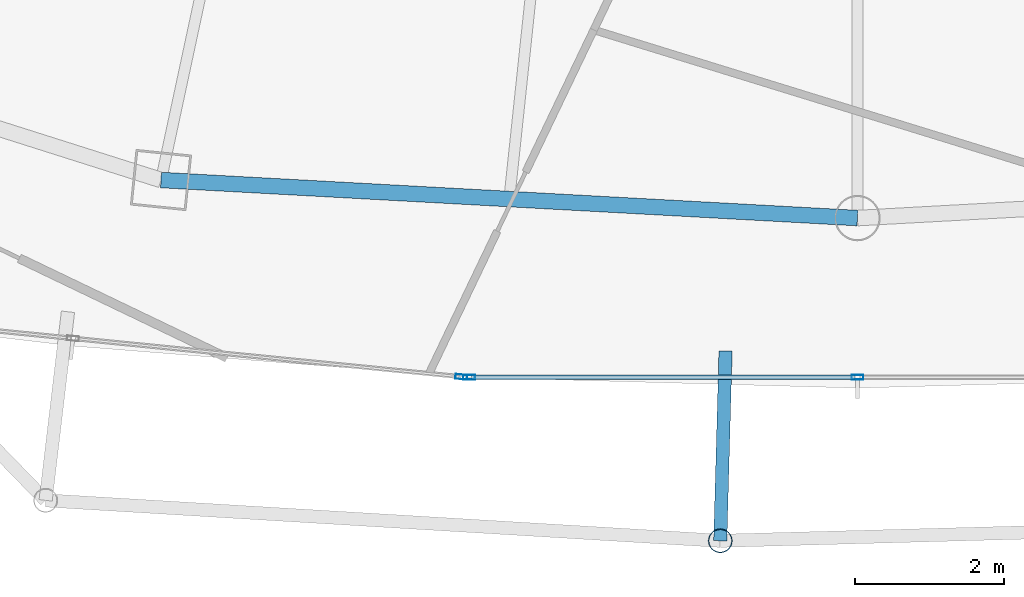
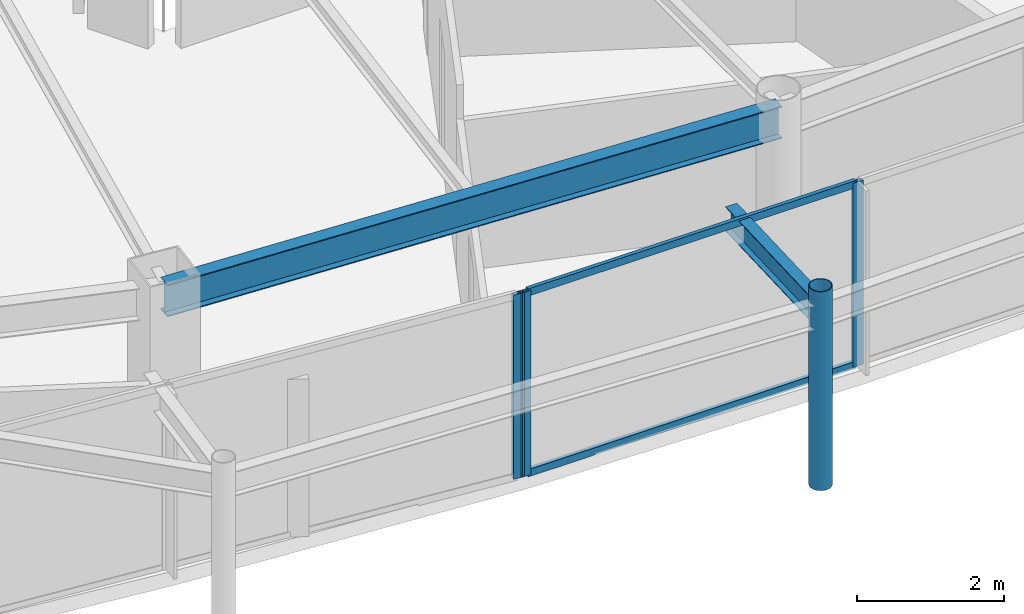
# One storey, part 8 of 33: 6 members, 2 beams, 2 elements without a shape of their own.
"""IFC4 building model written with IfcOpenShell, lengths in metres."""

import ifcopenshell
import ifcopenshell.guid

model = None  # the IFC model being written
_history = None  # IfcOwnerHistory: only IFC2X3 demands one
_inside = {}  # id of a spatial element -> (the spatial element, [elements in it])
_under = {}  # id of a project, library or spatial element -> (it, [spatial elements below it])
_declared = {}  # id of a project -> (the project, [libraries it declares])
_typed = {}  # id of a type object -> (the type object, [elements of that type])
_made_of = {}  # id of a material, layer set ... -> (it, [elements and type objects made of it])


def new_model(schema):
    """Start an empty IFC model of exactly this schema.

    Asked for "IFC4X3", IfcOpenShell would pick the latest addendum, in which some entities
    have other attributes; the version numbers below select the first issue.
    IFC2X3 requires an IfcOwnerHistory on every rooted entity: one is made here for all.
    """
    global model, _history
    if schema == "IFC4X3":
        model = ifcopenshell.file(schema_version=(4, 3, 0, 0))
    else:
        model = ifcopenshell.file(schema=schema)
    _inside.clear()
    _under.clear()
    _declared.clear()
    _typed.clear()
    _made_of.clear()
    _history = None
    if model.schema == "IFC2X3":
        org = make("IfcOrganization", Name="unknown")
        user = make(
            "IfcPersonAndOrganization",
            ThePerson=make("IfcPerson", FamilyName="unknown"),
            TheOrganization=org,
        )
        app = make(
            "IfcApplication",
            ApplicationDeveloper=org,
            Version="unknown",
            ApplicationFullName="unknown",
            ApplicationIdentifier="unknown",
        )
        _history = make(
            "IfcOwnerHistory",
            OwningUser=user,
            OwningApplication=app,
            ChangeAction="ADDED",
            CreationDate=0,
        )
    return model


def make(cls, **values):
    """One entity of the class cls with the attributes given. An attribute that is None is left unset."""
    return model.create_entity(
        cls, **{name: value for name, value in values.items() if value is not None}
    )


def rooted(cls, **values):
    """An entity with a GlobalId (a new one), such as an element, a storey or a relation."""
    return make(cls, GlobalId=ifcopenshell.guid.new(), OwnerHistory=_history, **values)


def si_unit(unit_type, name, prefix=None):
    """IfcSIUnit, for example si_unit("LENGTHUNIT", "METRE", prefix="MILLI")."""
    return make("IfcSIUnit", UnitType=unit_type, Prefix=prefix, Name=name)


def assignment(units):
    """IfcUnitAssignment: the units of a project."""
    return None if units is None else make("IfcUnitAssignment", Units=units)


def point(xyz):
    """IfcCartesianPoint."""
    return None if xyz is None else make("IfcCartesianPoint", Coordinates=xyz)


def direction(xyz):
    """IfcDirection."""
    return None if xyz is None else make("IfcDirection", DirectionRatios=xyz)


def frame(location, z_axis=None, x_axis=None):
    """IfcAxis2Placement3D, a coordinate frame: its origin and axes. An axis left out is left unset."""
    return make(
        "IfcAxis2Placement3D",
        Location=point(location),
        Axis=direction(z_axis),
        RefDirection=direction(x_axis),
    )


def frame_2d(location, x_axis=None):
    """IfcAxis2Placement2D, a coordinate frame in the plane: its origin and x axis."""
    return make(
        "IfcAxis2Placement2D", Location=point(location), RefDirection=direction(x_axis)
    )


def origin():
    """The frame at (0, 0, 0) with its axes left unset."""
    return frame((0.0, 0.0, 0.0))


def origin_2d():
    """The frame at (0, 0) in the plane with its x axis left unset."""
    return frame_2d((0.0, 0.0))


def place(relative_to, where):
    """IfcLocalPlacement: puts the frame where relative to a parent placement (None: the world)."""
    return make(
        "IfcLocalPlacement", PlacementRelTo=relative_to, RelativePlacement=where
    )


def context(
    kind, dimensions, precision=None, world=None, true_north=None, identifier=None
):
    """IfcGeometricRepresentationContext, for example the 3D "Model" context."""
    return make(
        "IfcGeometricRepresentationContext",
        ContextIdentifier=identifier,
        ContextType=kind,
        CoordinateSpaceDimension=dimensions,
        Precision=precision,
        WorldCoordinateSystem=world,
        TrueNorth=true_north,
    )


def subcontext(parent, identifier, kind, view, scale=None):
    """IfcGeometricRepresentationSubContext, for example "Body" below "Model"."""
    return make(
        "IfcGeometricRepresentationSubContext",
        ContextIdentifier=identifier,
        ContextType=kind,
        ParentContext=parent,
        TargetScale=scale,
        TargetView=view,
    )


def project(units=None, contexts=None):
    """IfcProject with its units and contexts."""
    return rooted(
        "IfcProject",
        Name="project",
        RepresentationContexts=contexts,
        UnitsInContext=assignment(units),
    )


def spatial(cls, under=None, at=None, **own):
    """A site, building, storey or space (cls), placed at a placement, below another one or the project."""
    s = rooted(cls, ObjectPlacement=at, **own)
    if under is not None:
        _under.setdefault(under.id(), (under, []))[1].append(s)
    return s


def profile(cls, at=None, kind="AREA", **sizes):
    """A parametric profile (cls). Its sizes go by their IFC names, for example OverallWidth=200.0."""
    return make(cls, ProfileType=kind, Position=at, **sizes)


def hollow_rectangle(**sizes):
    """IfcRectangleHollowProfileDef."""
    return profile("IfcRectangleHollowProfileDef", **sizes)


def hollow_circle(**sizes):
    """IfcCircleHollowProfileDef."""
    return profile("IfcCircleHollowProfileDef", **sizes)


def i_section(**sizes):
    """IfcIShapeProfileDef."""
    return profile("IfcIShapeProfileDef", **sizes)


def extrude(swept, where, along, depth):
    """IfcExtrudedAreaSolid: the profile swept, set in the frame where, extruded along a direction by depth."""
    return make(
        "IfcExtrudedAreaSolid",
        SweptArea=swept,
        Position=where,
        ExtrudedDirection=direction(along),
        Depth=depth,
    )


def shape(context_of_items, identifier, shape_type, items):
    """IfcShapeRepresentation: the items that make up one representation, for example the "Body"."""
    return make(
        "IfcShapeRepresentation",
        ContextOfItems=context_of_items,
        RepresentationIdentifier=identifier,
        RepresentationType=shape_type,
        Items=items,
    )


def material(Name=None, Category=None):
    """IfcMaterial."""
    return make("IfcMaterial", Name=Name, Category=Category)


def layer(
    of_material, thickness, ventilated=None, Name=None, Category=None, Priority=None
):
    """IfcMaterialLayer: one layer of a wall or slab, of a material (None: an air gap)."""
    return make(
        "IfcMaterialLayer",
        Material=of_material,
        LayerThickness=thickness,
        IsVentilated=ventilated,
        Name=Name,
        Category=Category,
        Priority=Priority,
    )


def layer_set(layers, Name=None):
    """IfcMaterialLayerSet."""
    return make("IfcMaterialLayerSet", MaterialLayers=layers, LayerSetName=Name)


def material_profile(
    of_material, cross_section, Name=None, Category=None, Priority=None
):
    """IfcMaterialProfile: a cross section and its material."""
    return make(
        "IfcMaterialProfile",
        Name=Name,
        Material=of_material,
        Profile=cross_section,
        Priority=Priority,
        Category=Category,
    )


def profile_set(profiles, Name=None, composite=None):
    """IfcMaterialProfileSet."""
    return make(
        "IfcMaterialProfileSet",
        Name=Name,
        MaterialProfiles=profiles,
        CompositeProfile=composite,
    )


def made_of(thing, what):
    """Note that an element or type object is made of a material, layer set ...; save() writes the relation."""
    if what is not None:
        _made_of.setdefault(what.id(), (what, []))[1].append(thing)
    return thing


def type_object(cls, material=None, **own):
    """A type object (cls), such as IfcWallType, which elements share."""
    return made_of(rooted(cls, **own), material)


def element(
    cls,
    number,
    at=None,
    inside=None,
    cuts=None,
    type_object=None,
    material=None,
    context=None,
    identifier="Body",
    shape_type=None,
    held_by="IfcProductDefinitionShape",
    body=None,
    shapes=None,
    **own,
):
    """One element of the class cls, such as IfcWall. Its Tag is "e" and its number.

    at: its placement. inside: the storey or other place that contains it. cuts: it is an
    opening in that element (IfcRelVoidsElement). A single representation is given by context,
    identifier, shape_type and body (its items); several are given by shapes. held_by: the class
    of the entity that holds the representations. save() writes the other relations.
    """
    e = rooted(cls, Tag="e%d" % number, ObjectPlacement=at, **own)
    if body is not None:
        shapes = [shape(context, identifier, shape_type, body)]
    if shapes is not None:
        e.Representation = make(held_by, Representations=shapes)
    if inside is not None:
        _inside.setdefault(inside.id(), (inside, []))[1].append(e)
    if cuts is not None:
        rooted(
            "IfcRelVoidsElement", RelatingBuildingElement=cuts, RelatedOpeningElement=e
        )
    if type_object is not None:
        _typed.setdefault(type_object.id(), (type_object, []))[1].append(e)
    return made_of(e, material)


def aggregate(whole, parts):
    """IfcRelAggregates: a whole, such as a stair, and the parts it consists of."""
    return rooted("IfcRelAggregates", RelatingObject=whole, RelatedObjects=parts)


def save(model, path):
    """Write the relations noted so far, then the file.

    IfcRelAggregates (storeys below a building ...), IfcRelContainedInSpatialStructure (elements
    in a storey), IfcRelDefinesByType, IfcRelAssociatesMaterial and IfcRelDeclares: one each for
    every whole, place, type object, material and project.
    """
    for whole, parts in _under.values():
        aggregate(whole, parts)
    for where, things in _inside.values():
        rooted(
            "IfcRelContainedInSpatialStructure",
            RelatedElements=things,
            RelatingStructure=where,
        )
    for kind, things in _typed.values():
        rooted("IfcRelDefinesByType", RelatedObjects=things, RelatingType=kind)
    for what, things in _made_of.values():
        rooted("IfcRelAssociatesMaterial", RelatedObjects=things, RelatingMaterial=what)
    for by, libraries in _declared.values():
        rooted("IfcRelDeclares", RelatingContext=by, RelatedDefinitions=libraries)
    model.write(path)


model = new_model("IFC4")

# Units and contexts
model_context = context("Model", 3, precision=1e-05, world=origin(), true_north=direction((0.0, 1.0)))
body_context = subcontext(model_context, "Body", "Model", "MODEL_VIEW")
ifc_project = project(units=[si_unit("LENGTHUNIT", "METRE"), si_unit("AREAUNIT", "SQUARE_METRE"), si_unit("VOLUMEUNIT", "CUBIC_METRE"), si_unit("PLANEANGLEUNIT", "RADIAN"), si_unit("MASSUNIT", "GRAM", prefix="KILO")], contexts=[model_context])

# Site, building, storey
site_placement = place(None, origin())
site = spatial("IfcSite", under=ifc_project, at=site_placement, CompositionType="ELEMENT")
building_placement = place(site_placement, origin())
building = spatial("IfcBuilding", under=site, at=building_placement, Name="Orvanel Arch Residences", CompositionType="ELEMENT")
storey_placement = place(building_placement, frame((0.0, 0.0, 209.60009765625)))
storey = spatial("IfcBuildingStorey", under=building, at=storey_placement, Name="L59", CompositionType="ELEMENT", Elevation=209.60009765625)

# Curtain wall, member
ifc_material_1 = material(Name="Bronze-anodised aluminium AA6063-T6", Category="aluminium")
ifc_layer = layer(ifc_material_1, 0.175048828125)
ifc_layer_set = layer_set([ifc_layer], Name="Bronze-anodised aluminium AA6063-T6")
curtain_wall_type = type_object("IfcCurtainWallType", Name="CW4-HI-SYS", PredefinedType="NOTDEFINED", material=ifc_layer_set)
curtain_wall_1_placement = place(storey_placement, origin())
curtain_wall_1 = element("IfcCurtainWall", 1, at=curtain_wall_1_placement, inside=storey, type_object=curtain_wall_type, Name="L59 CW4-HI-SYS Unitised Curtain Wall", PredefinedType="NOTDEFINED")
ifc_material_profile_1 = material_profile(ifc_material_1, hollow_rectangle(XDim=0.06494140625, YDim=0.159912109375, WallThickness=0.00390625, at=origin_2d()), Name="ALU160x65x4")
ifc_profile_set_1 = profile_set([ifc_material_profile_1], Name="Bronze-anodised aluminium AA6063-T6")
member_type_1 = type_object("IfcMemberType", Name="MUL-160x65", PredefinedType="MULLION", material=ifc_profile_set_1)
member_1_placement = place(storey_placement, frame((27.6806640625, 4.712158203125, 0.0), z_axis=(0.0, 0.0, 1.0), x_axis=(0.098621122229, 0.995125054579, 0.0)))
member_1 = element("IfcMember", 2, at=member_1_placement, type_object=member_type_1, Name="CW-S4 mullion 3", PredefinedType="MULLION", context=body_context, shape_type="SweptSolid", body=[
    extrude(hollow_rectangle(XDim=0.06494140625, YDim=0.159912109375, WallThickness=0.00390625, at=origin_2d()), origin(), (0.0, 0.0, 1.0), 3.059814453125),
])
aggregate(curtain_wall_1, [member_1])

# Curtain wall, members
curtain_wall_2_placement = place(storey_placement, origin())
curtain_wall_2 = element("IfcCurtainWall", 3, at=curtain_wall_2_placement, inside=storey, type_object=curtain_wall_type, Name="L59 CW4-HI-SYS Unitised Curtain Wall", PredefinedType="NOTDEFINED")
member_2_placement = place(storey_placement, frame((27.785400390625, 4.70703125, 0.0), z_axis=(0.0, 0.0, 1.0), x_axis=(0.0, 1.0, 0.0)))
member_2 = element("IfcMember", 4, at=member_2_placement, type_object=member_type_1, Name="CW-S4 mullion 1", PredefinedType="MULLION", context=body_context, shape_type="SweptSolid", body=[
    extrude(hollow_rectangle(XDim=0.06494140625, YDim=0.159912109375, WallThickness=0.00390625, at=origin_2d()), origin(), (0.0, 0.0, 1.0), 3.059814453125),
])
member_3_placement = place(storey_placement, frame((33.0, 4.70703125, 0.0), z_axis=(0.0, 0.0, 1.0), x_axis=(0.0, 1.0, 0.0)))
member_3 = element("IfcMember", 5, at=member_3_placement, type_object=member_type_1, Name="CW-S4 mullion 2", PredefinedType="MULLION", context=body_context, shape_type="SweptSolid", body=[
    extrude(hollow_rectangle(XDim=0.06494140625, YDim=0.159912109375, WallThickness=0.00390625, at=origin_2d()), origin(), (0.0, 0.0, 1.0), 3.059814453125),
])

# Beams
ifc_material_2 = material(Name="Structural steel AS/NZS 3679.1 Grade 300 (300 MPa)", Category="steel")
ifc_material_profile_2 = material_profile(ifc_material_2, i_section(OverallWidth=0.177978515625, OverallDepth=0.406005859375, WebThickness=0.0078125, FlangeThickness=0.0126953125, at=origin_2d()), Name="410UB59.7")
ifc_profile_set_2 = profile_set([ifc_material_profile_2], Name="Structural steel AS/NZS 3679.1 Grade 300 (300 MPa)")
beam_type_1 = type_object("IfcBeamType", Name="OB-410UB-EXT", PredefinedType="SPANDREL", material=ifc_profile_set_2)
beam_1_placement = place(storey_placement, frame((31.22900390625, 5.06005859375, 2.85693359375), z_axis=(-0.027860075025, -0.999611832773, 0.0), x_axis=(0.999611832773, -0.027860075025, 0.0)))
element("IfcBeam", 6, at=beam_1_placement, inside=storey, type_object=beam_type_1, Name="L59 Outer Frame Radial Tie Beam 06", PredefinedType="SPANDREL", context=body_context, shape_type="SweptSolid", body=[
    extrude(i_section(OverallWidth=0.177978515625, OverallDepth=0.406005859375, WebThickness=0.0078125, FlangeThickness=0.0126953125, at=origin_2d()), origin(), (0.0, 0.0, 1.0), 2.550048828125),
])
ifc_material_profile_3 = material_profile(ifc_material_2, i_section(OverallWidth=0.208984375, OverallDepth=0.532958984375, WebThickness=0.01025390625, FlangeThickness=0.015625, at=origin_2d()), Name="530UB92.4")
ifc_profile_set_3 = profile_set([ifc_material_profile_3], Name="Structural steel AS/NZS 3679.1 Grade 300 (300 MPa)")
beam_type_2 = type_object("IfcBeamType", Name="SP-530UB", PredefinedType="SPANDREL", material=ifc_profile_set_3)
beam_2_placement = place(storey_placement, frame((23.64892578125, 7.35498046875, 2.79296875), z_axis=(0.998510315598, -0.054563262768, 0.0), x_axis=(0.054563262768, 0.998510315598, 0.0)))
element("IfcBeam", 7, at=beam_2_placement, inside=storey, type_object=beam_type_2, Name="L59 Perimeter Spandrel Beam 03", PredefinedType="SPANDREL", context=body_context, shape_type="SweptSolid", body=[
    extrude(i_section(OverallWidth=0.208984375, OverallDepth=0.532958984375, WebThickness=0.01025390625, FlangeThickness=0.015625, at=origin_2d()), origin(), (0.0, 0.0, 1.0), 9.364990234375),
])

# Member
ifc_material_3 = material(Name="Structural steel AS/NZS 1163 C350L0 (Grade 350)", Category="steel")
ifc_material_profile_4 = material_profile(ifc_material_3, hollow_circle(Radius=0.162109375, WallThickness=0.0126953125, at=origin_2d()), Name="CHS324x12.7")
ifc_profile_set_4 = profile_set([ifc_material_profile_4], Name="Structural steel AS/NZS 1163 C350L0 (Grade 350)")
member_type_2 = type_object("IfcMemberType", Name="ST-324CHS-EXT", PredefinedType="STRUT", material=ifc_profile_set_4)
member_4_placement = place(storey_placement, frame((31.157958984375, 2.510986328125, 0.0), z_axis=(0.0, 0.0, 1.0), x_axis=(1.0, 0.0, 0.0)))
element("IfcMember", 8, at=member_4_placement, inside=storey, type_object=member_type_2, Name="L59 Outer Perimeter Frame Post 06", PredefinedType="STRUT", context=body_context, shape_type="SweptSolid", body=[
    extrude(hollow_circle(Radius=0.162109375, WallThickness=0.0126953125, at=origin_2d()), origin(), (0.0, 0.0, 1.0), 3.2998046875),
])

ifc_material_profile_5 = material_profile(ifc_material_1, hollow_rectangle(XDim=0.06005859375, YDim=0.1201171875, WallThickness=0.00341796875, at=origin_2d()), Name="ALU120x60x3.5")
ifc_profile_set_5 = profile_set([ifc_material_profile_5], Name="Bronze-anodised aluminium AA6063-T6")
member_type_3 = type_object("IfcMemberType", Name="TRN-120x60", PredefinedType="USERDEFINED", material=ifc_profile_set_5)
member_5_placement = place(storey_placement, frame((27.818115234375, 4.70703125, 0.02978515625), z_axis=(1.0, 0.0, 0.0), x_axis=(0.0, 1.0, 0.0)))
member_5 = element("IfcMember", 9, at=member_5_placement, type_object=member_type_3, Name="CW-S4 transom 1.1", ObjectType="TRANSOM", PredefinedType="USERDEFINED", context=body_context, shape_type="SweptSolid", body=[
    extrude(hollow_rectangle(XDim=0.06005859375, YDim=0.1201171875, WallThickness=0.00341796875, at=origin_2d()), origin(), (0.0, 0.0, 1.0), 5.1494140625),
])

member_6_placement = place(storey_placement, frame((27.818115234375, 4.70703125, 3.02978515625), z_axis=(1.0, 0.0, 0.0), x_axis=(0.0, 1.0, 0.0)))
member_6 = element("IfcMember", 10, at=member_6_placement, type_object=member_type_3, Name="CW-S4 transom 1.2", ObjectType="TRANSOM", PredefinedType="USERDEFINED", context=body_context, shape_type="SweptSolid", body=[
    extrude(hollow_rectangle(XDim=0.06005859375, YDim=0.1201171875, WallThickness=0.00341796875, at=origin_2d()), origin(), (0.0, 0.0, 1.0), 5.1494140625),
])

aggregate(curtain_wall_2, [member_2, member_3, member_5, member_6])

save(model, "model.ifc")
